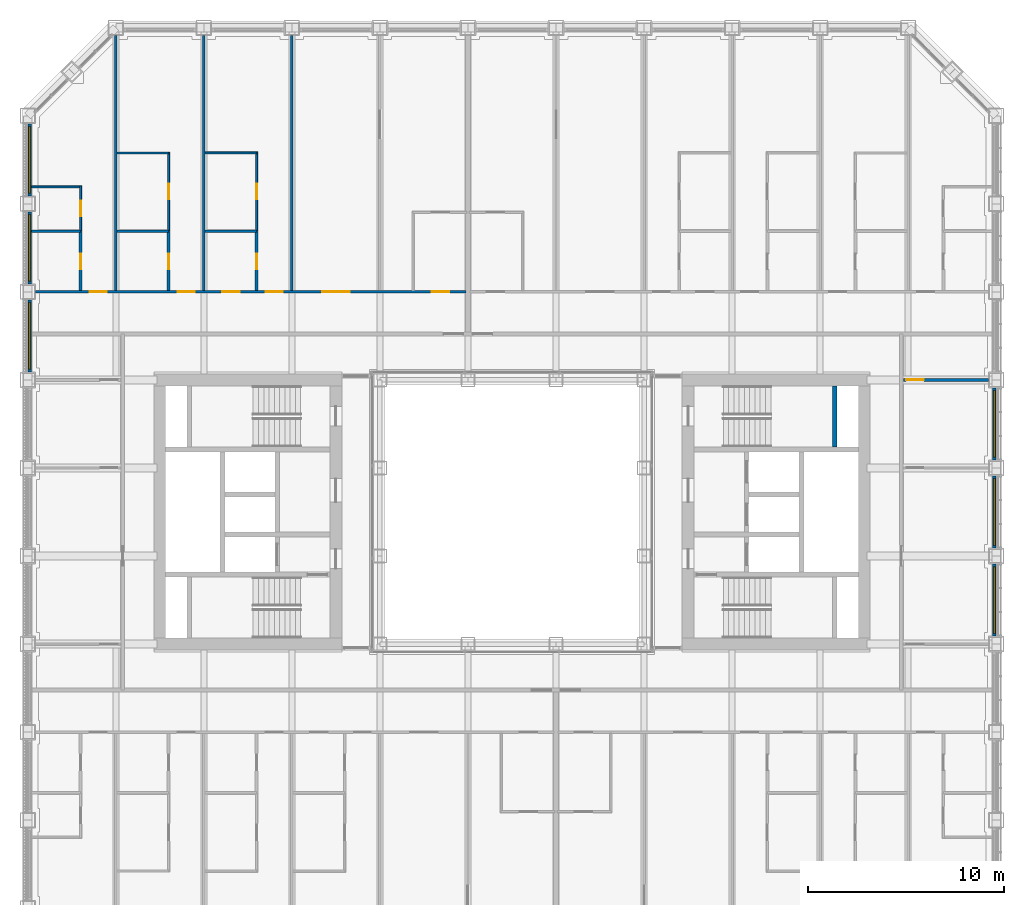
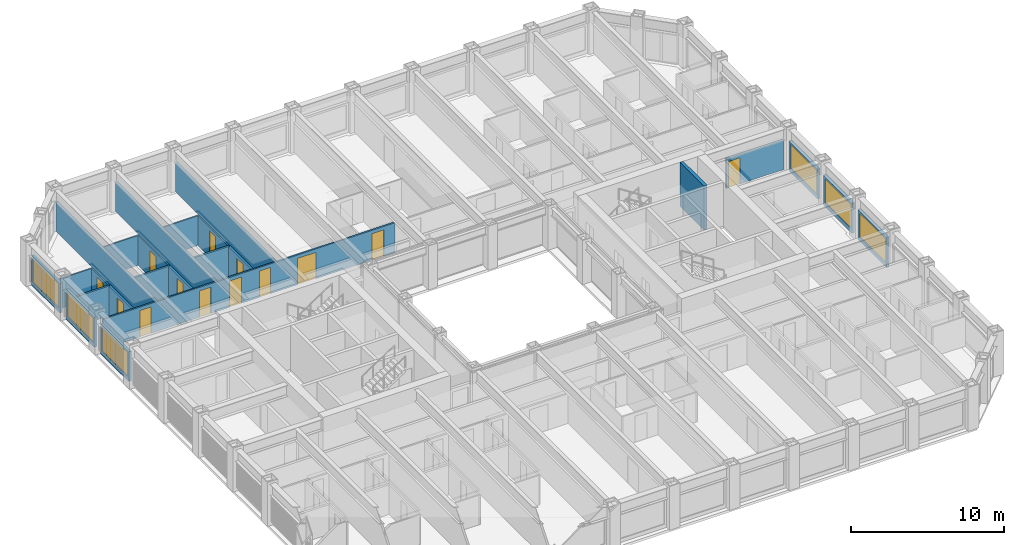
# One storey, part 13 of 21: 24 walls, 13 doors, 6 windows, 19 openings.
"""IFC4 building model written with IfcOpenShell, lengths in metres."""

from ifc_helpers import new_model, si_unit, direction, frame, frame_2d, origin, place, context, subcontext, project, spatial, rectangle, extrude, material, layer, layer_set, type_object, element, fill, save


model = new_model("IFC4")

# Units and contexts
model_context = context("Model", 3, precision=1e-05, world=origin(), true_north=direction((0.0, 1.0)))
body_context = subcontext(model_context, "Body", "Model", "MODEL_VIEW")
ifc_project = project(units=[si_unit("LENGTHUNIT", "METRE"), si_unit("AREAUNIT", "SQUARE_METRE"), si_unit("VOLUMEUNIT", "CUBIC_METRE"), si_unit("PLANEANGLEUNIT", "RADIAN"), si_unit("MASSUNIT", "GRAM", prefix="KILO")], contexts=[model_context])

# Site, building, storey
site_placement = place(None, origin())
site = spatial("IfcSite", under=ifc_project, at=site_placement, CompositionType="ELEMENT")
building_placement = place(site_placement, origin())
building = spatial("IfcBuilding", under=site, at=building_placement, Name="Msasa Ring Tower", CompositionType="ELEMENT")
storey_placement = place(building_placement, frame((0.0, 0.0, 79.0)))
storey = spatial("IfcBuildingStorey", under=building, at=storey_placement, Name="L20", CompositionType="ELEMENT", Elevation=79.0)

# Wall
ifc_material_1 = material(Name="Concrete C60/75", Category="concrete")
ifc_layer_1 = layer(ifc_material_1, 0.25)
ifc_layer_set_1 = layer_set([ifc_layer_1], Name="CW4 CORE INNER WALL 250")
wall_type_1 = type_object("IfcWallType", Name="CW4 CORE INNER WALL 250", PredefinedType="SHEAR", material=ifc_layer_set_1)
wall_1_placement = place(storey_placement, frame((16.5, 3.324951171875, 0.0), z_axis=(0.0, 0.0, 1.0), x_axis=(0.0, 1.0, 0.0)))
element("IfcWall", 1, at=wall_1_placement, inside=storey, type_object=wall_type_1, Name="E core wall RISERB L20", PredefinedType="SHEAR", context=body_context, shape_type="SweptSolid", body=[
    extrude(rectangle(XDim=3.125, YDim=0.25, at=frame_2d((1.5625, 0.0))), origin(), (0.0, 0.0, 1.0), 3.5),
])

# Wall, opening, window
ifc_material_2 = material(Name="Terracotta rainscreen on blockwork", Category="masonry")
ifc_layer_2 = layer(ifc_material_2, 0.199951171875)
ifc_layer_set_2 = layer_set([ifc_layer_2], Name="FW1 TERRACOTTA-LINED INFILL BAY WALL 200")
wall_type_2 = type_object("IfcWallType", Name="FW1 TERRACOTTA-LINED INFILL BAY WALL 200", PredefinedType="SOLIDWALL", material=ifc_layer_set_2)
wall_2_placement = place(storey_placement, frame((24.64990234375, -6.344970703125, 0.0), z_axis=(0.0, 0.0, 1.0), x_axis=(0.0, 1.0, 0.0)))
wall_2 = element("IfcWall", 2, at=wall_2_placement, inside=storey, type_object=wall_type_2, Name="Infill bay wall E L20 14", PredefinedType="SOLIDWALL", context=body_context, shape_type="SweptSolid", body=[
    extrude(rectangle(XDim=3.68994140625, YDim=0.199951171875, at=frame_2d((1.844970703125, 0.0))), origin(), (0.0, 0.0, 1.0), 2.37890625),
])
opening_1_placement = place(wall_2_placement, frame((0.14501953125, 0.0, 0.300048828125)))
opening_1 = element("IfcOpeningElement", 3, at=opening_1_placement, cuts=wall_2, Name="Opening WN1", PredefinedType="OPENING", context=body_context, shape_type="SweptSolid", body=[
    extrude(rectangle(XDim=3.39990234375, YDim=1.928955078125, at=frame_2d((1.699951171875, 0.96435546875))), frame((0.0, 0.10986328125, 0.0), z_axis=(0.0, -1.0, 0.0), x_axis=(1.0, 0.0, 0.0)), (0.0, 0.0, 1.0), 0.219970703125),
])
ifc_material_3 = material(Name="Aluminium frame with clear glass", Category="aluminium")
window_type = type_object("IfcWindowType", Name="WN1 RESIDENCE WINDOW 3400x1929", PartitioningType="SINGLE_PANEL", PredefinedType="WINDOW", material=ifc_material_3)
window_1_placement = place(opening_1_placement, origin())
window_1 = element("IfcWindow", 4, at=window_1_placement, inside=storey, type_object=window_type, Name="Window E L20 14", OverallHeight=1.928955078125, OverallWidth=3.39990234375, PartitioningType="SINGLE_PANEL", PredefinedType="WINDOW", context=body_context, shape_type="SweptSolid", body=[
    extrude(rectangle(XDim=3.39990234375, YDim=1.928955078125, at=frame_2d((1.699951171875, 0.96435546875))), frame((0.0, 0.030029296875, 0.0), z_axis=(0.0, -1.0, 0.0), x_axis=(1.0, 0.0, 0.0)), (0.0, 0.0, 1.0), 0.06005859375),
])
fill(opening_1, window_1)

wall_3_placement = place(storey_placement, frame((24.64990234375, -1.844970703125, 0.0), z_axis=(0.0, 0.0, 1.0), x_axis=(0.0, 1.0, 0.0)))
wall_3 = element("IfcWall", 5, at=wall_3_placement, inside=storey, type_object=wall_type_2, Name="Infill bay wall E L20 15", PredefinedType="SOLIDWALL", context=body_context, shape_type="SweptSolid", body=[
    extrude(rectangle(XDim=3.68994140625, YDim=0.199951171875, at=frame_2d((1.844970703125, 0.0))), origin(), (0.0, 0.0, 1.0), 2.37890625),
])
opening_2_placement = place(wall_3_placement, frame((0.14501953125, 0.0, 0.300048828125)))
opening_2 = element("IfcOpeningElement", 6, at=opening_2_placement, cuts=wall_3, Name="Opening WN1", PredefinedType="OPENING", context=body_context, shape_type="SweptSolid", body=[
    extrude(rectangle(XDim=3.39990234375, YDim=1.928955078125, at=frame_2d((1.699951171875, 0.96435546875))), frame((0.0, 0.10986328125, 0.0), z_axis=(0.0, -1.0, 0.0), x_axis=(1.0, 0.0, 0.0)), (0.0, 0.0, 1.0), 0.219970703125),
])
window_2_placement = place(opening_2_placement, origin())
window_2 = element("IfcWindow", 7, at=window_2_placement, inside=storey, type_object=window_type, Name="Window E L20 15", OverallHeight=1.928955078125, OverallWidth=3.39990234375, PartitioningType="SINGLE_PANEL", PredefinedType="WINDOW", context=body_context, shape_type="SweptSolid", body=[
    extrude(rectangle(XDim=3.39990234375, YDim=1.928955078125, at=frame_2d((1.699951171875, 0.96435546875))), frame((0.0, 0.030029296875, 0.0), z_axis=(0.0, -1.0, 0.0), x_axis=(1.0, 0.0, 0.0)), (0.0, 0.0, 1.0), 0.06005859375),
])
fill(opening_2, window_2)

wall_4_placement = place(storey_placement, frame((24.64990234375, 2.655029296875, 0.0), z_axis=(0.0, 0.0, 1.0), x_axis=(0.0, 1.0, 0.0)))
wall_4 = element("IfcWall", 8, at=wall_4_placement, inside=storey, type_object=wall_type_2, Name="Infill bay wall E L20 16", PredefinedType="SOLIDWALL", context=body_context, shape_type="SweptSolid", body=[
    extrude(rectangle(XDim=3.68994140625, YDim=0.199951171875, at=frame_2d((1.844970703125, 0.0))), origin(), (0.0, 0.0, 1.0), 2.37890625),
])
opening_3_placement = place(wall_4_placement, frame((0.14501953125, 0.0, 0.300048828125)))
opening_3 = element("IfcOpeningElement", 9, at=opening_3_placement, cuts=wall_4, Name="Opening WN1", PredefinedType="OPENING", context=body_context, shape_type="SweptSolid", body=[
    extrude(rectangle(XDim=3.39990234375, YDim=1.928955078125, at=frame_2d((1.699951171875, 0.96435546875))), frame((0.0, 0.10986328125, 0.0), z_axis=(0.0, -1.0, 0.0), x_axis=(1.0, 0.0, 0.0)), (0.0, 0.0, 1.0), 0.219970703125),
])
window_3_placement = place(opening_3_placement, origin())
window_3 = element("IfcWindow", 10, at=window_3_placement, inside=storey, type_object=window_type, Name="Window E L20 16", OverallHeight=1.928955078125, OverallWidth=3.39990234375, PartitioningType="SINGLE_PANEL", PredefinedType="WINDOW", context=body_context, shape_type="SweptSolid", body=[
    extrude(rectangle(XDim=3.39990234375, YDim=1.928955078125, at=frame_2d((1.699951171875, 0.96435546875))), frame((0.0, 0.030029296875, 0.0), z_axis=(0.0, -1.0, 0.0), x_axis=(1.0, 0.0, 0.0)), (0.0, 0.0, 1.0), 0.06005859375),
])
fill(opening_3, window_3)

wall_5_placement = place(storey_placement, frame((-24.64990234375, 7.155029296875, 0.0), z_axis=(0.0, 0.0, 1.0), x_axis=(0.0, 1.0, 0.0)))
wall_5 = element("IfcWall", 11, at=wall_5_placement, inside=storey, type_object=wall_type_2, Name="Infill bay wall W L20 39", PredefinedType="SOLIDWALL", context=body_context, shape_type="SweptSolid", body=[
    extrude(rectangle(XDim=3.68994140625, YDim=0.199951171875, at=frame_2d((1.844970703125, 0.0))), origin(), (0.0, 0.0, 1.0), 2.37890625),
])
opening_4_placement = place(wall_5_placement, frame((0.14501953125, 0.0, 0.300048828125)))
opening_4 = element("IfcOpeningElement", 12, at=opening_4_placement, cuts=wall_5, Name="Opening WN1", PredefinedType="OPENING", context=body_context, shape_type="SweptSolid", body=[
    extrude(rectangle(XDim=3.39990234375, YDim=1.928955078125, at=frame_2d((1.699951171875, 0.96435546875))), frame((0.0, 0.10986328125, 0.0), z_axis=(0.0, -1.0, 0.0), x_axis=(1.0, 0.0, 0.0)), (0.0, 0.0, 1.0), 0.219970703125),
])
window_4_placement = place(opening_4_placement, origin())
window_4 = element("IfcWindow", 13, at=window_4_placement, inside=storey, type_object=window_type, Name="Window W L20 39", OverallHeight=1.928955078125, OverallWidth=3.39990234375, PartitioningType="SINGLE_PANEL", PredefinedType="WINDOW", context=body_context, shape_type="SweptSolid", body=[
    extrude(rectangle(XDim=3.39990234375, YDim=1.928955078125, at=frame_2d((1.699951171875, 0.96435546875))), frame((0.0, 0.030029296875, 0.0), z_axis=(0.0, -1.0, 0.0), x_axis=(1.0, 0.0, 0.0)), (0.0, 0.0, 1.0), 0.06005859375),
])
fill(opening_4, window_4)

wall_6_placement = place(storey_placement, frame((-24.64990234375, 11.655029296875, 0.0), z_axis=(0.0, 0.0, 1.0), x_axis=(0.0, 1.0, 0.0)))
wall_6 = element("IfcWall", 14, at=wall_6_placement, inside=storey, type_object=wall_type_2, Name="Infill bay wall W L20 40", PredefinedType="SOLIDWALL", context=body_context, shape_type="SweptSolid", body=[
    extrude(rectangle(XDim=3.68994140625, YDim=0.199951171875, at=frame_2d((1.844970703125, 0.0))), origin(), (0.0, 0.0, 1.0), 2.37890625),
])
opening_5_placement = place(wall_6_placement, frame((0.14501953125, 0.0, 0.300048828125)))
opening_5 = element("IfcOpeningElement", 15, at=opening_5_placement, cuts=wall_6, Name="Opening WN1", PredefinedType="OPENING", context=body_context, shape_type="SweptSolid", body=[
    extrude(rectangle(XDim=3.39990234375, YDim=1.928955078125, at=frame_2d((1.699951171875, 0.96435546875))), frame((0.0, 0.10986328125, 0.0), z_axis=(0.0, -1.0, 0.0), x_axis=(1.0, 0.0, 0.0)), (0.0, 0.0, 1.0), 0.219970703125),
])
window_5_placement = place(opening_5_placement, origin())
window_5 = element("IfcWindow", 16, at=window_5_placement, inside=storey, type_object=window_type, Name="Window W L20 40", OverallHeight=1.928955078125, OverallWidth=3.39990234375, PartitioningType="SINGLE_PANEL", PredefinedType="WINDOW", context=body_context, shape_type="SweptSolid", body=[
    extrude(rectangle(XDim=3.39990234375, YDim=1.928955078125, at=frame_2d((1.699951171875, 0.96435546875))), frame((0.0, 0.030029296875, 0.0), z_axis=(0.0, -1.0, 0.0), x_axis=(1.0, 0.0, 0.0)), (0.0, 0.0, 1.0), 0.06005859375),
])
fill(opening_5, window_5)

wall_7_placement = place(storey_placement, frame((-24.64990234375, 16.155029296875, 0.0), z_axis=(0.0, 0.0, 1.0), x_axis=(0.0, 1.0, 0.0)))
wall_7 = element("IfcWall", 17, at=wall_7_placement, inside=storey, type_object=wall_type_2, Name="Infill bay wall W L20 41", PredefinedType="SOLIDWALL", context=body_context, shape_type="SweptSolid", body=[
    extrude(rectangle(XDim=3.68994140625, YDim=0.199951171875, at=frame_2d((1.844970703125, 0.0))), origin(), (0.0, 0.0, 1.0), 2.37890625),
])
opening_6_placement = place(wall_7_placement, frame((0.14501953125, 0.0, 0.300048828125)))
opening_6 = element("IfcOpeningElement", 18, at=opening_6_placement, cuts=wall_7, Name="Opening WN1", PredefinedType="OPENING", context=body_context, shape_type="SweptSolid", body=[
    extrude(rectangle(XDim=3.39990234375, YDim=1.928955078125, at=frame_2d((1.699951171875, 0.96435546875))), frame((0.0, 0.10986328125, 0.0), z_axis=(0.0, -1.0, 0.0), x_axis=(1.0, 0.0, 0.0)), (0.0, 0.0, 1.0), 0.219970703125),
])
window_6_placement = place(opening_6_placement, origin())
window_6 = element("IfcWindow", 19, at=window_6_placement, inside=storey, type_object=window_type, Name="Window W L20 41", OverallHeight=1.928955078125, OverallWidth=3.39990234375, PartitioningType="SINGLE_PANEL", PredefinedType="WINDOW", context=body_context, shape_type="SweptSolid", body=[
    extrude(rectangle(XDim=3.39990234375, YDim=1.928955078125, at=frame_2d((1.699951171875, 0.96435546875))), frame((0.0, 0.030029296875, 0.0), z_axis=(0.0, -1.0, 0.0), x_axis=(1.0, 0.0, 0.0)), (0.0, 0.0, 1.0), 0.06005859375),
])
fill(opening_6, window_6)

# Wall, opening, door
ifc_material_4 = material(Name="Gypsum board on steel studs", Category="steel")
ifc_layer_3 = layer(ifc_material_4, 0.10009765625)
ifc_layer_set_3 = layer_set([ifc_layer_3], Name="PT2 STUD PARTITION 100")
wall_type_3 = type_object("IfcWallType", Name="PT2 STUD PARTITION 100", PredefinedType="PARTITIONING", material=ifc_layer_set_3)
wall_8_placement = place(storey_placement, frame((-13.050048828125, 14.39990234375, 0.0), z_axis=(0.0, 0.0, 1.0), x_axis=(0.0, 1.0, 0.0)))
wall_8 = element("IfcWall", 20, at=wall_8_placement, inside=storey, type_object=wall_type_3, Name="Partition L20-VNWWX1", PredefinedType="PARTITIONING", context=body_context, shape_type="SweptSolid", body=[
    extrude(rectangle(XDim=4.003173828125, YDim=0.10009765625, at=frame_2d((2.00146484375, 0.0))), origin(), (0.0, 0.0, 1.0), 2.373291015625),
])
opening_7_placement = place(wall_8_placement, frame((1.576416015625, 0.0, 0.0)))
opening_7 = element("IfcOpeningElement", 21, at=opening_7_placement, cuts=wall_8, Name="Opening RF-004", PredefinedType="OPENING", context=body_context, shape_type="SweptSolid", body=[
    extrude(rectangle(XDim=0.800048828125, YDim=2.10009765625, at=frame_2d((0.39990234375, 1.050048828125))), frame((0.0, 0.06005859375, 0.0), z_axis=(0.0, -1.0, 0.0), x_axis=(1.0, 0.0, 0.0)), (0.0, 0.0, 1.0), 0.1201171875),
])
ifc_material_5 = material(Name="Timber door leaf in a steel frame", Category="steel")
door_type_1 = type_object("IfcDoorType", Name="D60 DRESSING ROOM DOOR 800x2100", OperationType="SINGLE_SWING_LEFT", PredefinedType="DOOR", material=ifc_material_5)
door_1_placement = place(opening_7_placement, origin())
door_1 = element("IfcDoor", 22, at=door_1_placement, inside=storey, type_object=door_type_1, Name="Door L20-VNWW1", OperationType="SINGLE_SWING_LEFT", OverallHeight=2.10009765625, OverallWidth=0.800048828125, PredefinedType="DOOR", context=body_context, shape_type="SweptSolid", body=[
    extrude(rectangle(XDim=0.800048828125, YDim=2.10009765625, at=frame_2d((0.39990234375, 1.050048828125))), frame((0.0, 0.02490234375, 0.0), z_axis=(0.0, -1.0, 0.0), x_axis=(1.0, 0.0, 0.0)), (0.0, 0.0, 1.0), 0.050048828125),
])
fill(opening_7, door_1)

# Wall
wall_9_placement = place(storey_placement, frame((-15.68994140625, 18.35302734375, 0.0), z_axis=(0.0, 0.0, 1.0), x_axis=(1.0, 0.0, 0.0)))
element("IfcWall", 23, at=wall_9_placement, inside=storey, type_object=wall_type_3, Name="Partition L20-VNWWY1", PredefinedType="PARTITIONING", context=body_context, shape_type="SweptSolid", body=[
    extrude(rectangle(XDim=2.639892578125, YDim=0.10009765625, at=frame_2d((1.31982421875, 0.0))), origin(), (0.0, 0.0, 1.0), 2.373291015625),
])

# Wall, opening, door
wall_10_placement = place(storey_placement, frame((-17.550048828125, 14.39990234375, 0.0), z_axis=(0.0, 0.0, 1.0), x_axis=(0.0, 1.0, 0.0)))
wall_10 = element("IfcWall", 24, at=wall_10_placement, inside=storey, type_object=wall_type_3, Name="Partition L20-VNWWX2", PredefinedType="PARTITIONING", context=body_context, shape_type="SweptSolid", body=[
    extrude(rectangle(XDim=4.00048828125, YDim=0.10009765625, at=frame_2d((2.000244140625, 0.0))), origin(), (0.0, 0.0, 1.0), 2.373291015625),
])
opening_8_placement = place(wall_10_placement, frame((1.5751953125, 0.0, 0.0)))
opening_8 = element("IfcOpeningElement", 25, at=opening_8_placement, cuts=wall_10, Name="Opening RF-003", PredefinedType="OPENING", context=body_context, shape_type="SweptSolid", body=[
    extrude(rectangle(XDim=0.800048828125, YDim=2.10009765625, at=frame_2d((0.39990234375, 1.050048828125))), frame((0.0, 0.06005859375, 0.0), z_axis=(0.0, -1.0, 0.0), x_axis=(1.0, 0.0, 0.0)), (0.0, 0.0, 1.0), 0.1201171875),
])
door_2_placement = place(opening_8_placement, origin())
door_2 = element("IfcDoor", 26, at=door_2_placement, inside=storey, type_object=door_type_1, Name="Door L20-VNWW2", OperationType="SINGLE_SWING_LEFT", OverallHeight=2.10009765625, OverallWidth=0.800048828125, PredefinedType="DOOR", context=body_context, shape_type="SweptSolid", body=[
    extrude(rectangle(XDim=0.800048828125, YDim=2.10009765625, at=frame_2d((0.39990234375, 1.050048828125))), frame((0.0, 0.02490234375, 0.0), z_axis=(0.0, -1.0, 0.0), x_axis=(1.0, 0.0, 0.0)), (0.0, 0.0, 1.0), 0.050048828125),
])
fill(opening_8, door_2)

# Wall
wall_11_placement = place(storey_placement, frame((-20.18994140625, 18.350341796875, 0.0), z_axis=(0.0, 0.0, 1.0), x_axis=(1.0, 0.0, 0.0)))
element("IfcWall", 27, at=wall_11_placement, inside=storey, type_object=wall_type_3, Name="Partition L20-VNWWY2", PredefinedType="PARTITIONING", context=body_context, shape_type="SweptSolid", body=[
    extrude(rectangle(XDim=2.639892578125, YDim=0.10009765625, at=frame_2d((1.31982421875, 0.0))), origin(), (0.0, 0.0, 1.0), 2.373291015625),
])

# Wall, opening, door
wall_12_placement = place(storey_placement, frame((-22.050048828125, 14.39990234375, 0.0), z_axis=(0.0, 0.0, 1.0), x_axis=(0.0, 1.0, 0.0)))
wall_12 = element("IfcWall", 28, at=wall_12_placement, inside=storey, type_object=wall_type_3, Name="Partition L20-VNWWX3", PredefinedType="PARTITIONING", context=body_context, shape_type="SweptSolid", body=[
    extrude(rectangle(XDim=2.273681640625, YDim=0.10009765625, at=frame_2d((1.13671875, 0.0))), origin(), (0.0, 0.0, 1.0), 2.373291015625),
])
opening_9_placement = place(wall_12_placement, frame((0.7119140625, 0.0, 0.0)))
opening_9 = element("IfcOpeningElement", 29, at=opening_9_placement, cuts=wall_12, Name="Opening RF-008", PredefinedType="OPENING", context=body_context, shape_type="SweptSolid", body=[
    extrude(rectangle(XDim=0.800048828125, YDim=2.10009765625, at=frame_2d((0.39990234375, 1.050048828125))), frame((0.0, 0.06005859375, 0.0), z_axis=(0.0, -1.0, 0.0), x_axis=(1.0, 0.0, 0.0)), (0.0, 0.0, 1.0), 0.1201171875),
])
door_3_placement = place(opening_9_placement, origin())
door_3 = element("IfcDoor", 30, at=door_3_placement, inside=storey, type_object=door_type_1, Name="Door L20-VNWW3", OperationType="SINGLE_SWING_LEFT", OverallHeight=2.10009765625, OverallWidth=0.800048828125, PredefinedType="DOOR", context=body_context, shape_type="SweptSolid", body=[
    extrude(rectangle(XDim=0.800048828125, YDim=2.10009765625, at=frame_2d((0.39990234375, 1.050048828125))), frame((0.0, 0.02490234375, 0.0), z_axis=(0.0, -1.0, 0.0), x_axis=(1.0, 0.0, 0.0)), (0.0, 0.0, 1.0), 0.050048828125),
])
fill(opening_9, door_3)

# Wall
wall_13_placement = place(storey_placement, frame((-24.550048828125, 16.62353515625, 0.0), z_axis=(0.0, 0.0, 1.0), x_axis=(1.0, 0.0, 0.0)))
element("IfcWall", 31, at=wall_13_placement, inside=storey, type_object=wall_type_3, Name="Partition L20-VNWWY3", PredefinedType="PARTITIONING", context=body_context, shape_type="SweptSolid", body=[
    extrude(rectangle(XDim=2.5, YDim=0.10009765625, at=frame_2d((1.25, 0.0))), origin(), (0.0, 0.0, 1.0), 2.373291015625),
])

# Wall, opening, door
ifc_material_6 = material(Name="Moisture-resistant board on steel studs with a concealed cistern and pipe void, tiled", Category="steel")
ifc_layer_4 = layer(ifc_material_6, 0.14990234375)
ifc_layer_set_4 = layer_set([ifc_layer_4], Name="PT4 BATHROOM WET WALL 150")
wall_type_4 = type_object("IfcWallType", Name="PT4 BATHROOM WET WALL 150", PredefinedType="PARTITIONING", material=ifc_layer_set_4)
wall_14_placement = place(storey_placement, frame((-13.050048828125, 11.3125, 0.0), z_axis=(0.0, 0.0, 1.0), x_axis=(0.0, 1.0, 0.0)))
wall_14 = element("IfcWall", 32, at=wall_14_placement, inside=storey, type_object=wall_type_4, Name="Partition L20-VNWBX1", PredefinedType="PARTITIONING", context=body_context, shape_type="SweptSolid", body=[
    extrude(rectangle(XDim=3.08740234375, YDim=0.14990234375, at=frame_2d((1.543701171875, 0.0))), origin(), (0.0, 0.0, 1.0), 2.373291015625),
])
opening_10_placement = place(wall_14_placement, frame((1.08740234375, 0.0, 0.0)))
opening_10 = element("IfcOpeningElement", 33, at=opening_10_placement, cuts=wall_14, Name="Opening RF-014", PredefinedType="OPENING", context=body_context, shape_type="SweptSolid", body=[
    extrude(rectangle(XDim=0.800048828125, YDim=2.10009765625, at=frame_2d((0.39990234375, 1.050048828125))), frame((0.0, 0.0849609375, 0.0), z_axis=(0.0, -1.0, 0.0), x_axis=(1.0, 0.0, 0.0)), (0.0, 0.0, 1.0), 0.169921875),
])
ifc_material_7 = material(Name="Timber door leaf in a steel frame", Category="steel")
door_type_2 = type_object("IfcDoorType", Name="D21 POCKET SLIDING BATHROOM DOOR 800x2100", OperationType="SINGLE_SWING_LEFT", PredefinedType="DOOR", material=ifc_material_7)
door_4_placement = place(opening_10_placement, origin())
door_4 = element("IfcDoor", 34, at=door_4_placement, inside=storey, type_object=door_type_2, Name="Door L20-VNWB1", OperationType="SINGLE_SWING_LEFT", OverallHeight=2.10009765625, OverallWidth=0.800048828125, PredefinedType="DOOR", context=body_context, shape_type="SweptSolid", body=[
    extrude(rectangle(XDim=0.800048828125, YDim=2.10009765625, at=frame_2d((0.39990234375, 1.050048828125))), frame((0.0, 0.02490234375, 0.0), z_axis=(0.0, -1.0, 0.0), x_axis=(1.0, 0.0, 0.0)), (0.0, 0.0, 1.0), 0.050048828125),
])
fill(opening_10, door_4)

# Wall
wall_15_placement = place(storey_placement, frame((-15.68994140625, 14.35009765625, 0.0), z_axis=(0.0, 0.0, 1.0), x_axis=(1.0, 0.0, 0.0)))
element("IfcWall", 35, at=wall_15_placement, inside=storey, type_object=wall_type_4, Name="Partition L20-VNWBY1", PredefinedType="PARTITIONING", context=body_context, shape_type="SweptSolid", body=[
    extrude(rectangle(XDim=2.639892578125, YDim=0.14990234375, at=frame_2d((1.31982421875, 0.0))), origin(), (0.0, 0.0, 1.0), 2.373291015625),
])

# Wall, opening, door
wall_16_placement = place(storey_placement, frame((-17.550048828125, 11.3125, 0.0), z_axis=(0.0, 0.0, 1.0), x_axis=(0.0, 1.0, 0.0)))
wall_16 = element("IfcWall", 36, at=wall_16_placement, inside=storey, type_object=wall_type_4, Name="Partition L20-VNWBX2", PredefinedType="PARTITIONING", context=body_context, shape_type="SweptSolid", body=[
    extrude(rectangle(XDim=3.08740234375, YDim=0.14990234375, at=frame_2d((1.543701171875, 0.0))), origin(), (0.0, 0.0, 1.0), 2.373291015625),
])
opening_11_placement = place(wall_16_placement, frame((1.08740234375, 0.0, 0.0)))
opening_11 = element("IfcOpeningElement", 37, at=opening_11_placement, cuts=wall_16, Name="Opening RF-013", PredefinedType="OPENING", context=body_context, shape_type="SweptSolid", body=[
    extrude(rectangle(XDim=0.800048828125, YDim=2.10009765625, at=frame_2d((0.39990234375, 1.050048828125))), frame((0.0, 0.0849609375, 0.0), z_axis=(0.0, -1.0, 0.0), x_axis=(1.0, 0.0, 0.0)), (0.0, 0.0, 1.0), 0.169921875),
])
door_5_placement = place(opening_11_placement, origin())
door_5 = element("IfcDoor", 38, at=door_5_placement, inside=storey, type_object=door_type_2, Name="Door L20-VNWB2", OperationType="SINGLE_SWING_LEFT", OverallHeight=2.10009765625, OverallWidth=0.800048828125, PredefinedType="DOOR", context=body_context, shape_type="SweptSolid", body=[
    extrude(rectangle(XDim=0.800048828125, YDim=2.10009765625, at=frame_2d((0.39990234375, 1.050048828125))), frame((0.0, 0.02490234375, 0.0), z_axis=(0.0, -1.0, 0.0), x_axis=(1.0, 0.0, 0.0)), (0.0, 0.0, 1.0), 0.050048828125),
])
fill(opening_11, door_5)

# Wall
wall_17_placement = place(storey_placement, frame((-20.18994140625, 14.35009765625, 0.0), z_axis=(0.0, 0.0, 1.0), x_axis=(1.0, 0.0, 0.0)))
element("IfcWall", 39, at=wall_17_placement, inside=storey, type_object=wall_type_4, Name="Partition L20-VNWBY2", PredefinedType="PARTITIONING", context=body_context, shape_type="SweptSolid", body=[
    extrude(rectangle(XDim=2.639892578125, YDim=0.14990234375, at=frame_2d((1.31982421875, 0.0))), origin(), (0.0, 0.0, 1.0), 2.373291015625),
])

# Wall, opening, door
wall_18_placement = place(storey_placement, frame((-22.050048828125, 11.3125, 0.0), z_axis=(0.0, 0.0, 1.0), x_axis=(0.0, 1.0, 0.0)))
wall_18 = element("IfcWall", 40, at=wall_18_placement, inside=storey, type_object=wall_type_4, Name="Partition L20-VNWBX3", PredefinedType="PARTITIONING", context=body_context, shape_type="SweptSolid", body=[
    extrude(rectangle(XDim=3.08740234375, YDim=0.14990234375, at=frame_2d((1.543701171875, 0.0))), origin(), (0.0, 0.0, 1.0), 2.373291015625),
])
opening_12_placement = place(wall_18_placement, frame((1.08740234375, 0.0, 0.0)))
opening_12 = element("IfcOpeningElement", 41, at=opening_12_placement, cuts=wall_18, Name="Opening RF-012", PredefinedType="OPENING", context=body_context, shape_type="SweptSolid", body=[
    extrude(rectangle(XDim=0.800048828125, YDim=2.10009765625, at=frame_2d((0.39990234375, 1.050048828125))), frame((0.0, 0.0849609375, 0.0), z_axis=(0.0, -1.0, 0.0), x_axis=(1.0, 0.0, 0.0)), (0.0, 0.0, 1.0), 0.169921875),
])
door_6_placement = place(opening_12_placement, origin())
door_6 = element("IfcDoor", 42, at=door_6_placement, inside=storey, type_object=door_type_2, Name="Door L20-VNWB3", OperationType="SINGLE_SWING_LEFT", OverallHeight=2.10009765625, OverallWidth=0.800048828125, PredefinedType="DOOR", context=body_context, shape_type="SweptSolid", body=[
    extrude(rectangle(XDim=0.800048828125, YDim=2.10009765625, at=frame_2d((0.39990234375, 1.050048828125))), frame((0.0, 0.02490234375, 0.0), z_axis=(0.0, -1.0, 0.0), x_axis=(1.0, 0.0, 0.0)), (0.0, 0.0, 1.0), 0.050048828125),
])
fill(opening_12, door_6)

# Wall
wall_19_placement = place(storey_placement, frame((-24.550048828125, 14.35009765625, 0.0), z_axis=(0.0, 0.0, 1.0), x_axis=(1.0, 0.0, 0.0)))
element("IfcWall", 43, at=wall_19_placement, inside=storey, type_object=wall_type_4, Name="Partition L20-VNWBY3", PredefinedType="PARTITIONING", context=body_context, shape_type="SweptSolid", body=[
    extrude(rectangle(XDim=2.5, YDim=0.14990234375, at=frame_2d((1.25, 0.0))), origin(), (0.0, 0.0, 1.0), 2.373291015625),
])

# Wall, opening, door
wall_20_placement = place(storey_placement, frame((20.0, 6.75, 0.0), z_axis=(0.0, 0.0, 1.0), x_axis=(1.0, 0.0, 0.0)))
wall_20 = element("IfcWall", 44, at=wall_20_placement, inside=storey, type_object=wall_type_4, Name="Partition L20-STEBY", PredefinedType="PARTITIONING", context=body_context, shape_type="SweptSolid", body=[
    extrude(rectangle(XDim=4.35009765625, YDim=0.14990234375, at=frame_2d((2.175048828125, 0.0))), origin(), (0.0, 0.0, 1.0), 2.373291015625),
])
opening_13_placement = place(wall_20_placement, frame((0.14990234375, 0.0, 0.0)))
opening_13 = element("IfcOpeningElement", 45, at=opening_13_placement, cuts=wall_20, Name="Opening RF-037", PredefinedType="OPENING", context=body_context, shape_type="SweptSolid", body=[
    extrude(rectangle(XDim=0.89990234375, YDim=2.10009765625, at=frame_2d((0.449951171875, 1.050048828125))), frame((0.0, 0.0849609375, 0.0), z_axis=(0.0, -1.0, 0.0), x_axis=(1.0, 0.0, 0.0)), (0.0, 0.0, 1.0), 0.169921875),
])
ifc_material_8 = material(Name="Timber door leaf in a steel frame", Category="steel")
door_type_3 = type_object("IfcDoorType", Name="D3 BATHROOM DOOR 900x2100", OperationType="SINGLE_SWING_LEFT", PredefinedType="DOOR", material=ifc_material_8)
door_7_placement = place(opening_13_placement, origin())
door_7 = element("IfcDoor", 46, at=door_7_placement, inside=storey, type_object=door_type_3, Name="Door L20-STEB", OperationType="SINGLE_SWING_LEFT", OverallHeight=2.10009765625, OverallWidth=0.89990234375, PredefinedType="DOOR", context=body_context, shape_type="SweptSolid", body=[
    extrude(rectangle(XDim=0.89990234375, YDim=2.10009765625, at=frame_2d((0.449951171875, 1.050048828125))), frame((0.0, 0.02490234375, 0.0), z_axis=(0.0, -1.0, 0.0), x_axis=(1.0, 0.0, 0.0)), (0.0, 0.0, 1.0), 0.050048828125),
])
fill(opening_13, door_7)

# Wall, openings, doors
ifc_material_9 = material(Name="Two layers of acoustic board each face on steel studs, mineral wool", Category="steel")
ifc_layer_5 = layer(ifc_material_9, 0.125)
ifc_layer_set_5 = layer_set([ifc_layer_5], Name="PT6 ACOUSTIC DOUBLE-BOARD PARTITION 125")
wall_type_5 = type_object("IfcWallType", Name="PT6 ACOUSTIC DOUBLE-BOARD PARTITION 125", PredefinedType="PARTITIONING", material=ifc_layer_set_5)
wall_21_placement = place(storey_placement, frame((-24.35009765625, 11.25, 0.0), z_axis=(0.0, 0.0, 1.0), x_axis=(1.0, 0.0, 0.0)))
wall_21 = element("IfcWall", 47, at=wall_21_placement, inside=storey, type_object=wall_type_5, Name="Partition L20-VNWHY", PredefinedType="PARTITIONING", context=body_context, shape_type="SweptSolid", body=[
    extrude(rectangle(XDim=22.0, YDim=0.125, at=frame_2d((11.0, 0.0))), origin(), (0.0, 0.0, 1.0), 2.373291015625),
])
opening_14_placement = place(wall_21_placement, frame((20.25, 0.0, 0.0)))
opening_14 = element("IfcOpeningElement", 48, at=opening_14_placement, cuts=wall_21, Name="Opening RF-024", PredefinedType="OPENING", context=body_context, shape_type="SweptSolid", body=[
    extrude(rectangle(XDim=0.89990234375, YDim=2.10009765625, at=frame_2d((0.449951171875, 1.050048828125))), frame((0.0, 0.072509765625, 0.0), z_axis=(0.0, -1.0, 0.0), x_axis=(1.0, 0.0, 0.0)), (0.0, 0.0, 1.0), 0.14501953125),
])
opening_15_placement = place(wall_21_placement, frame((14.64990234375, 0.0, 0.0)))
opening_15 = element("IfcOpeningElement", 49, at=opening_15_placement, cuts=wall_21, Name="Opening RF-023", PredefinedType="OPENING", context=body_context, shape_type="SweptSolid", body=[
    extrude(rectangle(XDim=1.39990234375, YDim=2.10009765625, at=frame_2d((0.699951171875, 1.050048828125))), frame((0.0, 0.072509765625, 0.0), z_axis=(0.0, -1.0, 0.0), x_axis=(1.0, 0.0, 0.0)), (0.0, 0.0, 1.0), 0.14501953125),
])
opening_16_placement = place(wall_21_placement, frame((11.77490234375, 0.0, 0.0)))
opening_16 = element("IfcOpeningElement", 50, at=opening_16_placement, cuts=wall_21, Name="Opening RF-022", PredefinedType="OPENING", context=body_context, shape_type="SweptSolid", body=[
    extrude(rectangle(XDim=0.85009765625, YDim=2.10009765625, at=frame_2d((0.425048828125, 1.050048828125))), frame((0.0, 0.072509765625, 0.0), z_axis=(0.0, -1.0, 0.0), x_axis=(1.0, 0.0, 0.0)), (0.0, 0.0, 1.0), 0.14501953125),
])
opening_17_placement = place(wall_21_placement, frame((9.530029296875, 0.0, 0.0)))
opening_17 = element("IfcOpeningElement", 51, at=opening_17_placement, cuts=wall_21, Name="Opening RF-021", PredefinedType="OPENING", context=body_context, shape_type="SweptSolid", body=[
    extrude(rectangle(XDim=0.89990234375, YDim=2.10009765625, at=frame_2d((0.449951171875, 1.050048828125))), frame((0.0, 0.072509765625, 0.0), z_axis=(0.0, -1.0, 0.0), x_axis=(1.0, 0.0, 0.0)), (0.0, 0.0, 1.0), 0.14501953125),
])
opening_18_placement = place(wall_21_placement, frame((7.27490234375, 0.0, 0.0)))
opening_18 = element("IfcOpeningElement", 52, at=opening_18_placement, cuts=wall_21, Name="Opening RF-020", PredefinedType="OPENING", context=body_context, shape_type="SweptSolid", body=[
    extrude(rectangle(XDim=0.85009765625, YDim=2.10009765625, at=frame_2d((0.425048828125, 1.050048828125))), frame((0.0, 0.072509765625, 0.0), z_axis=(0.0, -1.0, 0.0), x_axis=(1.0, 0.0, 0.0)), (0.0, 0.0, 1.0), 0.14501953125),
])
opening_19_placement = place(wall_21_placement, frame((2.77490234375, 0.0, 0.0)))
opening_19 = element("IfcOpeningElement", 53, at=opening_19_placement, cuts=wall_21, Name="Opening RF-019", PredefinedType="OPENING", context=body_context, shape_type="SweptSolid", body=[
    extrude(rectangle(XDim=0.85009765625, YDim=2.10009765625, at=frame_2d((0.425048828125, 1.050048828125))), frame((0.0, 0.072509765625, 0.0), z_axis=(0.0, -1.0, 0.0), x_axis=(1.0, 0.0, 0.0)), (0.0, 0.0, 1.0), 0.14501953125),
])
ifc_material_10 = material(Name="Timber door leaf in a steel frame", Category="steel")
door_type_4 = type_object("IfcDoorType", Name="D14 BEDROOM DOOR 850x2100", OperationType="SINGLE_SWING_LEFT", PredefinedType="DOOR", material=ifc_material_10)
door_8_placement = place(opening_16_placement, origin())
door_8 = element("IfcDoor", 54, at=door_8_placement, inside=storey, type_object=door_type_4, Name="Door L20-VNWR1", OperationType="SINGLE_SWING_RIGHT", OverallHeight=2.10009765625, OverallWidth=0.85009765625, PredefinedType="DOOR", context=body_context, shape_type="SweptSolid", body=[
    extrude(rectangle(XDim=0.85009765625, YDim=2.10009765625, at=frame_2d((0.425048828125, 1.050048828125))), frame((0.0, 0.02490234375, 0.0), z_axis=(0.0, -1.0, 0.0), x_axis=(1.0, 0.0, 0.0)), (0.0, 0.0, 1.0), 0.050048828125),
])
fill(opening_16, door_8)
door_9_placement = place(opening_18_placement, origin())
door_9 = element("IfcDoor", 55, at=door_9_placement, inside=storey, type_object=door_type_4, Name="Door L20-VNWR2", OperationType="SINGLE_SWING_LEFT", OverallHeight=2.10009765625, OverallWidth=0.85009765625, PredefinedType="DOOR", context=body_context, shape_type="SweptSolid", body=[
    extrude(rectangle(XDim=0.85009765625, YDim=2.10009765625, at=frame_2d((0.425048828125, 1.050048828125))), frame((0.0, 0.02490234375, 0.0), z_axis=(0.0, -1.0, 0.0), x_axis=(1.0, 0.0, 0.0)), (0.0, 0.0, 1.0), 0.050048828125),
])
fill(opening_18, door_9)
door_10_placement = place(opening_19_placement, origin())
door_10 = element("IfcDoor", 56, at=door_10_placement, inside=storey, type_object=door_type_4, Name="Door L20-VNWR3", OperationType="SINGLE_SWING_LEFT", OverallHeight=2.10009765625, OverallWidth=0.85009765625, PredefinedType="DOOR", context=body_context, shape_type="SweptSolid", body=[
    extrude(rectangle(XDim=0.85009765625, YDim=2.10009765625, at=frame_2d((0.425048828125, 1.050048828125))), frame((0.0, 0.02490234375, 0.0), z_axis=(0.0, -1.0, 0.0), x_axis=(1.0, 0.0, 0.0)), (0.0, 0.0, 1.0), 0.050048828125),
])
fill(opening_19, door_10)
ifc_material_11 = material(Name="Timber door leaf in a steel frame", Category="steel")
door_type_5 = type_object("IfcDoorType", Name="D15 LIVING ROOM PAIR OF GLAZED DOORS 1400x2100", OperationType="SINGLE_SWING_LEFT", PredefinedType="DOOR", material=ifc_material_11)
door_11_placement = place(opening_15_placement, origin())
door_11 = element("IfcDoor", 57, at=door_11_placement, inside=storey, type_object=door_type_5, Name="Door L20-VNWL", OperationType="SINGLE_SWING_RIGHT", OverallHeight=2.10009765625, OverallWidth=1.39990234375, PredefinedType="DOOR", context=body_context, shape_type="SweptSolid", body=[
    extrude(rectangle(XDim=1.39990234375, YDim=2.10009765625, at=frame_2d((0.699951171875, 1.050048828125))), frame((0.0, 0.02490234375, 0.0), z_axis=(0.0, -1.0, 0.0), x_axis=(1.0, 0.0, 0.0)), (0.0, 0.0, 1.0), 0.050048828125),
])
fill(opening_15, door_11)
ifc_material_12 = material(Name="Timber door leaf in a steel frame", Category="steel")
door_type_6 = type_object("IfcDoorType", Name="D22 INTERNAL HALL DOOR 900x2100", OperationType="SINGLE_SWING_LEFT", PredefinedType="DOOR", material=ifc_material_12)
door_12_placement = place(opening_14_placement, origin())
door_12 = element("IfcDoor", 58, at=door_12_placement, inside=storey, type_object=door_type_6, Name="Door L20-VNWK", OperationType="SINGLE_SWING_RIGHT", OverallHeight=2.10009765625, OverallWidth=0.89990234375, PredefinedType="DOOR", context=body_context, shape_type="SweptSolid", body=[
    extrude(rectangle(XDim=0.89990234375, YDim=2.10009765625, at=frame_2d((0.449951171875, 1.050048828125))), frame((0.0, 0.02490234375, 0.0), z_axis=(0.0, -1.0, 0.0), x_axis=(1.0, 0.0, 0.0)), (0.0, 0.0, 1.0), 0.050048828125),
])
fill(opening_14, door_12)
door_13_placement = place(opening_17_placement, origin())
door_13 = element("IfcDoor", 59, at=door_13_placement, inside=storey, type_object=door_type_3, Name="Door L20-VNWBH1", OperationType="SINGLE_SWING_LEFT", OverallHeight=2.10009765625, OverallWidth=0.89990234375, PredefinedType="DOOR", context=body_context, shape_type="SweptSolid", body=[
    extrude(rectangle(XDim=0.89990234375, YDim=2.10009765625, at=frame_2d((0.449951171875, 1.050048828125))), frame((0.0, 0.02490234375, 0.0), z_axis=(0.0, -1.0, 0.0), x_axis=(1.0, 0.0, 0.0)), (0.0, 0.0, 1.0), 0.050048828125),
])
fill(opening_17, door_13)

# Walls
for number, where, z_axis, x_axis, name in (
    (60, (-11.25, 11.3125, 0.0), (0.0, 0.0, 1.0), (0.0, 1.0, 0.0), "Partition L20-VNWP1"),
    (61, (-15.75, 11.3125, 0.0), (0.0, 0.0, 1.0), (0.0, 1.0, 0.0), "Partition L20-VNWP2"),
    (62, (-20.25, 11.3125, 0.0), (0.0, 0.0, 1.0), (0.0, 1.0, 0.0), "Partition L20-VNWP3"),
):
    element("IfcWall", number, at=place(storey_placement, frame(where, z_axis=z_axis, x_axis=x_axis)), inside=storey, type_object=wall_type_5, Name=name, PredefinedType="PARTITIONING", context=body_context, shape_type="SweptSolid", body=[
        extrude(rectangle(XDim=13.03759765625, YDim=0.125, at=frame_2d((6.518798828125, 0.0))), origin(), (0.0, 0.0, 1.0), 2.373291015625),
    ])

save(model, "model.ifc")
